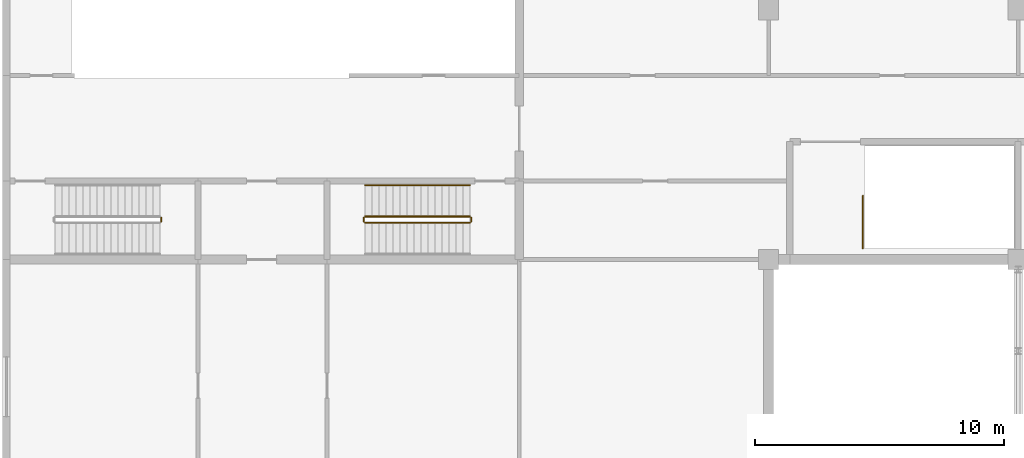
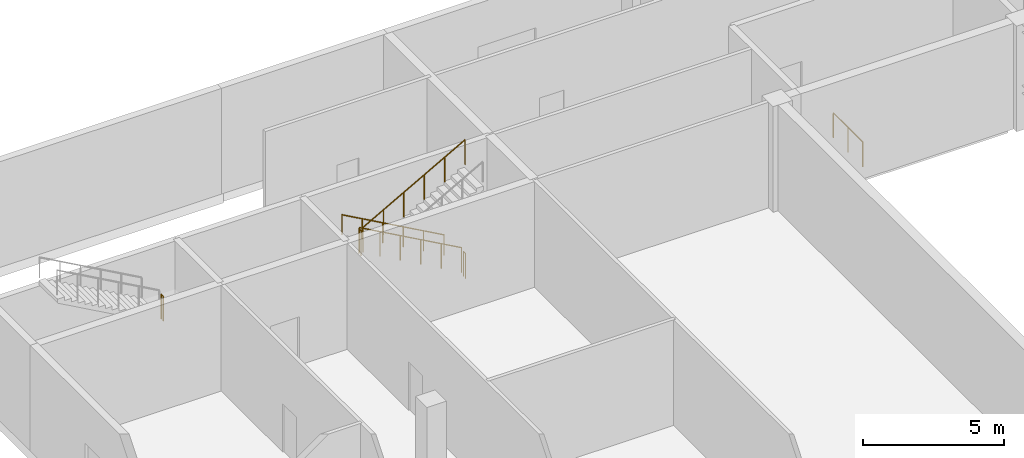
# One storey, part 35 of 36: 7 railings.
"""IFC4 building model written with IfcOpenShell, lengths in metres."""

from ifc_helpers import new_model, si_unit, direction, frame, origin, origin_2d, place, context, subcontext, project, spatial, circle, extrude, material, type_object, element, save


model = new_model("IFC4")

# Units and contexts
model_context = context("Model", 3, precision=1e-05, world=origin(), true_north=direction((0.0, 1.0)))
body_context = subcontext(model_context, "Body", "Model", "MODEL_VIEW")
ifc_project = project(units=[si_unit("LENGTHUNIT", "METRE"), si_unit("AREAUNIT", "SQUARE_METRE"), si_unit("VOLUMEUNIT", "CUBIC_METRE"), si_unit("PLANEANGLEUNIT", "RADIAN"), si_unit("MASSUNIT", "GRAM", prefix="KILO")], contexts=[model_context])

# Site, building, storey
site_placement = place(None, origin())
site = spatial("IfcSite", under=ifc_project, at=site_placement, CompositionType="ELEMENT")
building_placement = place(site_placement, origin())
building = spatial("IfcBuilding", under=site, at=building_placement, Name="Jabali Bay Hotel Tower and Convention Centre", CompositionType="ELEMENT")
storey_placement = place(building_placement, frame((0.0, 0.0, 20.39990234375)))
storey = spatial("IfcBuildingStorey", under=building, at=storey_placement, Name="L03", CompositionType="ELEMENT", Elevation=20.39990234375)

# Railings
ifc_material = material(Name="Stainless steel 304", Category="steel")
railing_type_1 = type_object("IfcRailingType", Name="CC Stair Guard 1100", PredefinedType="GUARDRAIL", material=ifc_material)
railing_1_placement = place(storey_placement, frame((156.35009765625, 101.52490234375, 2.5)))
element("IfcRailing", 1, at=railing_1_placement, inside=storey, type_object=railing_type_1, Name="L03 CC-STWA stair guard 2", PredefinedType="GUARDRAIL", context=body_context, shape_type="SweptSolid", body=[
    extrude(circle(Radius=0.02392578125, at=origin_2d()), frame((0.0, 0.0, 1.076171875), z_axis=(0.0, 1.0, 0.0), x_axis=(-1.0, 0.0, 0.0)), (0.0, 0.0, 1.0), 0.150146484375),
    extrude(circle(Radius=0.02099609375, at=origin_2d()), origin(), (0.0, 0.0, 1.0), 1.052001953125),
    extrude(circle(Radius=0.02099609375, at=origin_2d()), frame((0.0, 0.150146484375, 0.0)), (0.0, 0.0, 1.0), 1.052001953125),
])
railing_2_placement = place(storey_placement, frame((168.72509765625, 101.72509765625, 0.15625)))
element("IfcRailing", 2, at=railing_2_placement, inside=storey, type_object=railing_type_1, Name="L03 CC-STWB stair guard 1", PredefinedType="GUARDRAIL", context=body_context, shape_type="SweptSolid", body=[
    extrude(circle(Radius=0.02392578125, at=origin_2d()), frame((0.0, 0.0, 1.076171875), z_axis=(-0.873245923365, 0.0, 0.487279752633), x_axis=(0.0, -1.0, 0.0)), (0.0, 0.0, 1.0), 4.809814453125),
    extrude(circle(Radius=0.02099609375, at=origin_2d()), origin(), (0.0, 0.0, 1.0), 1.052001953125),
    extrude(circle(Radius=0.02099609375, at=origin_2d()), frame((-0.840087890625, 0.0, 0.46875)), (0.0, 0.0, 1.0), 1.052001953125),
    extrude(circle(Radius=0.02099609375, at=origin_2d()), frame((-1.68017578125, 0.0, 0.9375)), (0.0, 0.0, 1.0), 1.052001953125),
    extrude(circle(Radius=0.02099609375, at=origin_2d()), frame((-2.52001953125, 0.0, 1.40625)), (0.0, 0.0, 1.0), 1.052001953125),
    extrude(circle(Radius=0.02099609375, at=origin_2d()), frame((-3.360107421875, 0.0, 1.875)), (0.0, 0.0, 1.0), 1.052001953125),
    extrude(circle(Radius=0.02099609375, at=origin_2d()), frame((-4.2001953125, 0.0, 2.34375)), (0.0, 0.0, 1.0), 1.052001953125),
])
railing_3_placement = place(storey_placement, frame((164.47509765625, 101.675048828125, 2.5)))
element("IfcRailing", 3, at=railing_3_placement, inside=storey, type_object=railing_type_1, Name="L03 CC-STWB stair guard 2", PredefinedType="GUARDRAIL", context=body_context, shape_type="SweptSolid", body=[
    extrude(circle(Radius=0.02392578125, at=origin_2d()), frame((0.0, 0.0, 1.076171875), z_axis=(0.0, -1.0, 0.0), x_axis=(1.0, 0.0, 0.0)), (0.0, 0.0, 1.0), 0.150146484375),
    extrude(circle(Radius=0.02099609375, at=origin_2d()), origin(), (0.0, 0.0, 1.0), 1.052001953125),
    extrude(circle(Radius=0.02099609375, at=origin_2d()), frame((0.0, -0.150146484375, 0.0)), (0.0, 0.0, 1.0), 1.052001953125),
])
railing_4_placement = place(storey_placement, frame((164.52490234375, 101.47509765625, 2.65625)))
element("IfcRailing", 4, at=railing_4_placement, inside=storey, type_object=railing_type_1, Name="L03 CC-STWB stair guard 3", PredefinedType="GUARDRAIL", context=body_context, shape_type="SweptSolid", body=[
    extrude(circle(Radius=0.02392578125, at=origin_2d()), frame((0.0, 0.0, 1.076171875), z_axis=(0.873245923365, 0.0, 0.487279752633), x_axis=(0.0, 1.0, 0.0)), (0.0, 0.0, 1.0), 4.809814453125),
    extrude(circle(Radius=0.02099609375, at=origin_2d()), origin(), (0.0, 0.0, 1.0), 1.052001953125),
    extrude(circle(Radius=0.02099609375, at=origin_2d()), frame((0.840087890625, 0.0, 0.46875)), (0.0, 0.0, 1.0), 1.052001953125),
    extrude(circle(Radius=0.02099609375, at=origin_2d()), frame((1.68017578125, 0.0, 0.9375)), (0.0, 0.0, 1.0), 1.052001953125),
    extrude(circle(Radius=0.02099609375, at=origin_2d()), frame((2.52001953125, 0.0, 1.40625)), (0.0, 0.0, 1.0), 1.052001953125),
    extrude(circle(Radius=0.02099609375, at=origin_2d()), frame((3.360107421875, 0.0, 1.875)), (0.0, 0.0, 1.0), 1.052001953125),
    extrude(circle(Radius=0.02099609375, at=origin_2d()), frame((4.2001953125, 0.0, 2.34375)), (0.0, 0.0, 1.0), 1.052001953125),
])
railing_5_placement = place(storey_placement, frame((168.77490234375, 101.675048828125, 0.0)))
element("IfcRailing", 5, at=railing_5_placement, inside=storey, type_object=railing_type_1, Name="L03 CC-STWB stair guard 4", PredefinedType="GUARDRAIL", context=body_context, shape_type="SweptSolid", body=[
    extrude(circle(Radius=0.02392578125, at=origin_2d()), frame((0.0, 0.0, 1.076171875), z_axis=(0.0, -1.0, 0.0), x_axis=(1.0, 0.0, 0.0)), (0.0, 0.0, 1.0), 0.150146484375),
    extrude(circle(Radius=0.02099609375, at=origin_2d()), origin(), (0.0, 0.0, 1.0), 1.052001953125),
    extrude(circle(Radius=0.02099609375, at=origin_2d()), frame((0.0, -0.150146484375, 0.0)), (0.0, 0.0, 1.0), 1.052001953125),
])
railing_6_placement = place(storey_placement, frame((184.47509765625, 100.449951171875, 0.0)))
element("IfcRailing", 6, at=railing_6_placement, inside=storey, type_object=railing_type_1, Name="L03 CC-STN1 top well guard 1", PredefinedType="GUARDRAIL", context=body_context, shape_type="SweptSolid", body=[
    extrude(circle(Radius=0.02392578125, at=origin_2d()), frame((0.0, 0.0, 1.076171875), z_axis=(0.0, 1.0, 0.0), x_axis=(-1.0, 0.0, 0.0)), (0.0, 0.0, 1.0), 2.10009765625),
    extrude(circle(Radius=0.02099609375, at=origin_2d()), origin(), (0.0, 0.0, 1.0), 1.052001953125),
    extrude(circle(Radius=0.02099609375, at=origin_2d()), frame((0.0, 1.050048828125, 0.0)), (0.0, 0.0, 1.0), 1.052001953125),
    extrude(circle(Radius=0.02099609375, at=origin_2d()), frame((0.0, 2.10009765625, 0.0)), (0.0, 0.0, 1.0), 1.052001953125),
])
railing_type_2 = type_object("IfcRailingType", Name="CC Stair Handrail 900", PredefinedType="HANDRAIL", material=ifc_material)
railing_7_placement = place(storey_placement, frame((168.72509765625, 102.97509765625, 0.15625)))
element("IfcRailing", 7, at=railing_7_placement, inside=storey, type_object=railing_type_2, Name="L03 CC-STWB stair handrail 1", PredefinedType="HANDRAIL", context=body_context, shape_type="SweptSolid", body=[
    extrude(circle(Radius=0.02392578125, at=origin_2d()), frame((0.0, 0.0, 0.8759765625), z_axis=(-0.873245923365, 0.0, 0.487279752633), x_axis=(0.0, -1.0, 0.0)), (0.0, 0.0, 1.0), 4.809814453125),
    extrude(circle(Radius=0.02099609375, at=origin_2d()), origin(), (0.0, 0.0, 1.0), 0.851806640625),
    extrude(circle(Radius=0.02099609375, at=origin_2d()), frame((-0.840087890625, 0.0, 0.46875)), (0.0, 0.0, 1.0), 0.851806640625),
    extrude(circle(Radius=0.02099609375, at=origin_2d()), frame((-1.68017578125, 0.0, 0.9375)), (0.0, 0.0, 1.0), 0.851806640625),
    extrude(circle(Radius=0.02099609375, at=origin_2d()), frame((-2.52001953125, 0.0, 1.40625)), (0.0, 0.0, 1.0), 0.851806640625),
    extrude(circle(Radius=0.02099609375, at=origin_2d()), frame((-3.360107421875, 0.0, 1.875)), (0.0, 0.0, 1.0), 0.851806640625),
    extrude(circle(Radius=0.02099609375, at=origin_2d()), frame((-4.2001953125, 0.0, 2.34375)), (0.0, 0.0, 1.0), 0.851806640625),
])

save(model, "model.ifc")
